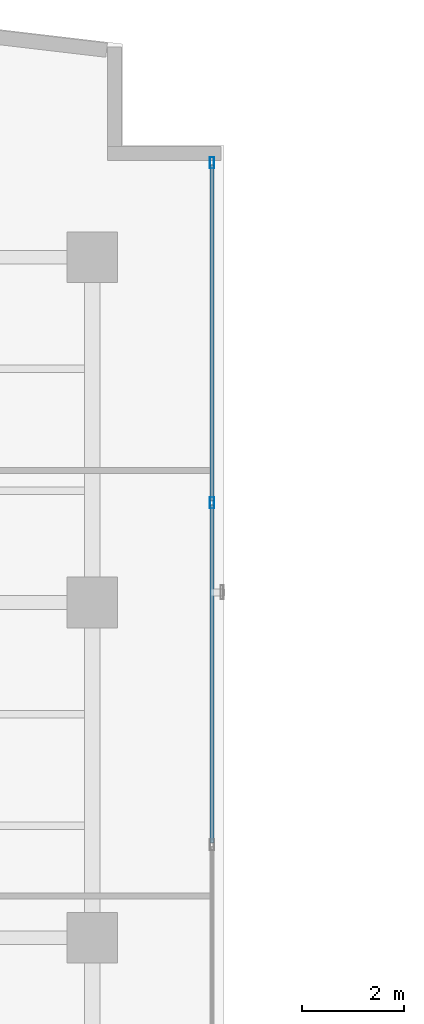
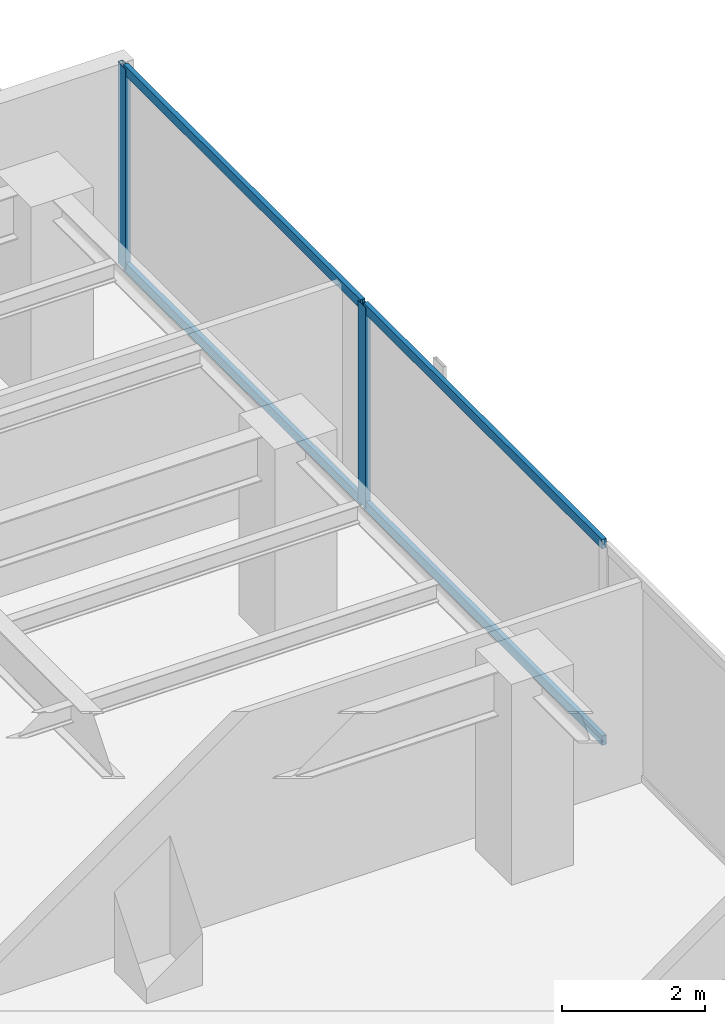
# One storey, part 15 of 24: 6 members, 1 element without a shape of its own.
"""IFC4 building model written with IfcOpenShell, lengths in metres."""

from ifc_helpers import new_model, si_unit, direction, frame, origin, origin_with_axes, origin_2d, place, context, subcontext, project, spatial, hollow_rectangle, extrude, source, transform, mapped, material, layer, layer_set, material_profile, profile_set, type_object, element, aggregate, save


model = new_model("IFC4")

# Units and contexts
model_context = context("Model", 3, precision=1e-05, world=origin(), true_north=direction((0.0, 1.0)))
body_context = subcontext(model_context, "Body", "Model", "MODEL_VIEW")
ifc_project = project(units=[si_unit("LENGTHUNIT", "METRE"), si_unit("AREAUNIT", "SQUARE_METRE"), si_unit("VOLUMEUNIT", "CUBIC_METRE"), si_unit("PLANEANGLEUNIT", "RADIAN"), si_unit("MASSUNIT", "GRAM", prefix="KILO")], contexts=[model_context])

# Site, building, storey
site_placement = place(None, origin())
site = spatial("IfcSite", under=ifc_project, at=site_placement, CompositionType="ELEMENT")
building_placement = place(site_placement, origin())
building = spatial("IfcBuilding", under=site, at=building_placement, Name="Kolvaren Waterfront Exchange", CompositionType="ELEMENT")
storey_placement = place(building_placement, frame((0.0, 0.0, 253.89990234375)))
storey = spatial("IfcBuildingStorey", under=building, at=storey_placement, Name="L65", CompositionType="ELEMENT", Elevation=253.89990234375)

# Curtain wall, members
ifc_material_1 = material(Name="Anodised bronze aluminium 6063-T6", Category="aluminium")
ifc_layer = layer(ifc_material_1, 0.219970703125, Name="Anodised bronze aluminium 6063-T6")
ifc_layer_set = layer_set([ifc_layer], Name="Anodised bronze aluminium 6063-T6")
curtain_wall_type = type_object("IfcCurtainWallType", Name="ARC-CW-SYS1", PredefinedType="USERDEFINED", material=ifc_layer_set)
curtain_wall_placement = place(storey_placement, origin())
curtain_wall = element("IfcCurtainWall", 1, at=curtain_wall_placement, inside=storey, type_object=curtain_wall_type, Name="L65 stick curtain wall CW1 (CW-L65-NE)", ObjectType="STICK CURTAIN WALL", PredefinedType="USERDEFINED")
ifc_material_2 = material(Name="Anodised aluminium 6063-T6", Category="aluminium")
ifc_material_profile_1 = material_profile(ifc_material_2, hollow_rectangle(XDim=0.074951171875, YDim=0.159912109375, WallThickness=0.00439453125, at=origin_2d()), Name="ALU-TRN-160x75x4.5")
ifc_profile_set_1 = profile_set([ifc_material_profile_1], Name="Anodised aluminium 6063-T6")
member_type_1 = type_object("IfcMemberType", Name="ARC-CWT-160", PredefinedType="USERDEFINED", material=ifc_profile_set_1)
shared_shape_1 = source(origin_with_axes(), body_context, "Body", "SweptSolid", [
    extrude(hollow_rectangle(XDim=0.074951171875, YDim=0.159912109375, WallThickness=0.00439453125, at=origin_2d()), origin(), (0.0, 0.0, 1.0), 6.65673828125),
])
member_1_placement = place(storey_placement, frame((21.159912109375, 33.066650390625, 0.03759765625), z_axis=(0.0, 1.0, 0.0), x_axis=(-1.0, 0.0, 0.0)))
member_1 = element("IfcMember", 2, at=member_1_placement, type_object=member_type_1, Name="CW1 transom 2.1", ObjectType="TRANSOM", PredefinedType="USERDEFINED", context=body_context, shape_type="MappedRepresentation", body=[
    mapped(shared_shape_1, transform((0.0, 0.0, 0.0), x_axis=(1.0, 0.0, 0.0), y_axis=(0.0, 1.0, 0.0), z_axis=(0.0, 0.0, 1.0), scale=1.0)),
])
member_2_placement = place(storey_placement, frame((21.159912109375, 33.066650390625, 3.382568359375), z_axis=(0.0, 1.0, 0.0), x_axis=(-1.0, 0.0, 0.0)))
member_2 = element("IfcMember", 3, at=member_2_placement, type_object=member_type_1, Name="CW1 transom 2.2", ObjectType="TRANSOM", PredefinedType="USERDEFINED", context=body_context, shape_type="MappedRepresentation", body=[
    mapped(shared_shape_1, transform((0.0, 0.0, 0.0), x_axis=(1.0, 0.0, 0.0), y_axis=(0.0, 1.0, 0.0), z_axis=(0.0, 0.0, 1.0), scale=1.0)),
])
shared_shape_2 = source(origin_with_axes(), body_context, "Body", "SweptSolid", [
    extrude(hollow_rectangle(XDim=0.074951171875, YDim=0.159912109375, WallThickness=0.00439453125, at=origin_2d()), origin(), (0.0, 0.0, 1.0), 6.61669921875),
])
member_3_placement = place(storey_placement, frame((21.159912109375, 39.80322265625, 0.03759765625), z_axis=(0.0, 1.0, 0.0), x_axis=(-1.0, 0.0, 0.0)))
member_3 = element("IfcMember", 4, at=member_3_placement, type_object=member_type_1, Name="CW1 transom 3.1", ObjectType="TRANSOM", PredefinedType="USERDEFINED", context=body_context, shape_type="MappedRepresentation", body=[
    mapped(shared_shape_2, transform((0.0, 0.0, 0.0), x_axis=(1.0, 0.0, 0.0), y_axis=(0.0, 1.0, 0.0), z_axis=(0.0, 0.0, 1.0), scale=1.0)),
])
member_4_placement = place(storey_placement, frame((21.159912109375, 39.80322265625, 3.382568359375), z_axis=(0.0, 1.0, 0.0), x_axis=(-1.0, 0.0, 0.0)))
member_4 = element("IfcMember", 5, at=member_4_placement, type_object=member_type_1, Name="CW1 transom 3.2", ObjectType="TRANSOM", PredefinedType="USERDEFINED", context=body_context, shape_type="MappedRepresentation", body=[
    mapped(shared_shape_2, transform((0.0, 0.0, 0.0), x_axis=(1.0, 0.0, 0.0), y_axis=(0.0, 1.0, 0.0), z_axis=(0.0, 0.0, 1.0), scale=1.0)),
])
ifc_material_profile_2 = material_profile(ifc_material_2, hollow_rectangle(XDim=0.080078125, YDim=0.219970703125, WallThickness=0.0048828125, at=origin_2d()), Name="ALU-MUL-220x80x5")
ifc_profile_set_2 = profile_set([ifc_material_profile_2], Name="Anodised aluminium 6063-T6")
member_type_2 = type_object("IfcMemberType", Name="ARC-CWM-220", PredefinedType="MULLION", material=ifc_profile_set_2)
shared_shape_3 = source(origin_with_axes(), body_context, "Body", "SweptSolid", [
    extrude(hollow_rectangle(XDim=0.080078125, YDim=0.219970703125, WallThickness=0.0048828125, at=origin_2d()), origin(), (0.0, 0.0, 1.0), 3.420166015625),
])
member_5_placement = place(storey_placement, frame((21.159912109375, 39.763427734375, 0.0), z_axis=(0.0, 0.0, 1.0), x_axis=(-1.0, 0.0, 0.0)))
member_5 = element("IfcMember", 6, at=member_5_placement, type_object=member_type_2, Name="CW1 mullion 3", PredefinedType="MULLION", context=body_context, shape_type="MappedRepresentation", body=[
    mapped(shared_shape_3, transform((0.0, 0.0, 0.0), x_axis=(1.0, 0.0, 0.0), y_axis=(0.0, 1.0, 0.0), z_axis=(0.0, 0.0, 1.0), scale=1.0)),
])
member_6_placement = place(storey_placement, frame((21.159912109375, 46.4599609375, 0.0), z_axis=(0.0, 0.0, 1.0), x_axis=(-1.0, 0.0, 0.0)))
member_6 = element("IfcMember", 7, at=member_6_placement, type_object=member_type_2, Name="CW1 mullion 4", PredefinedType="MULLION", context=body_context, shape_type="MappedRepresentation", body=[
    mapped(shared_shape_3, transform((0.0, 0.0, 0.0), x_axis=(1.0, 0.0, 0.0), y_axis=(0.0, 1.0, 0.0), z_axis=(0.0, 0.0, 1.0), scale=1.0)),
])
aggregate(curtain_wall, [member_5, member_6, member_1, member_2, member_3, member_4])

save(model, "model.ifc")
